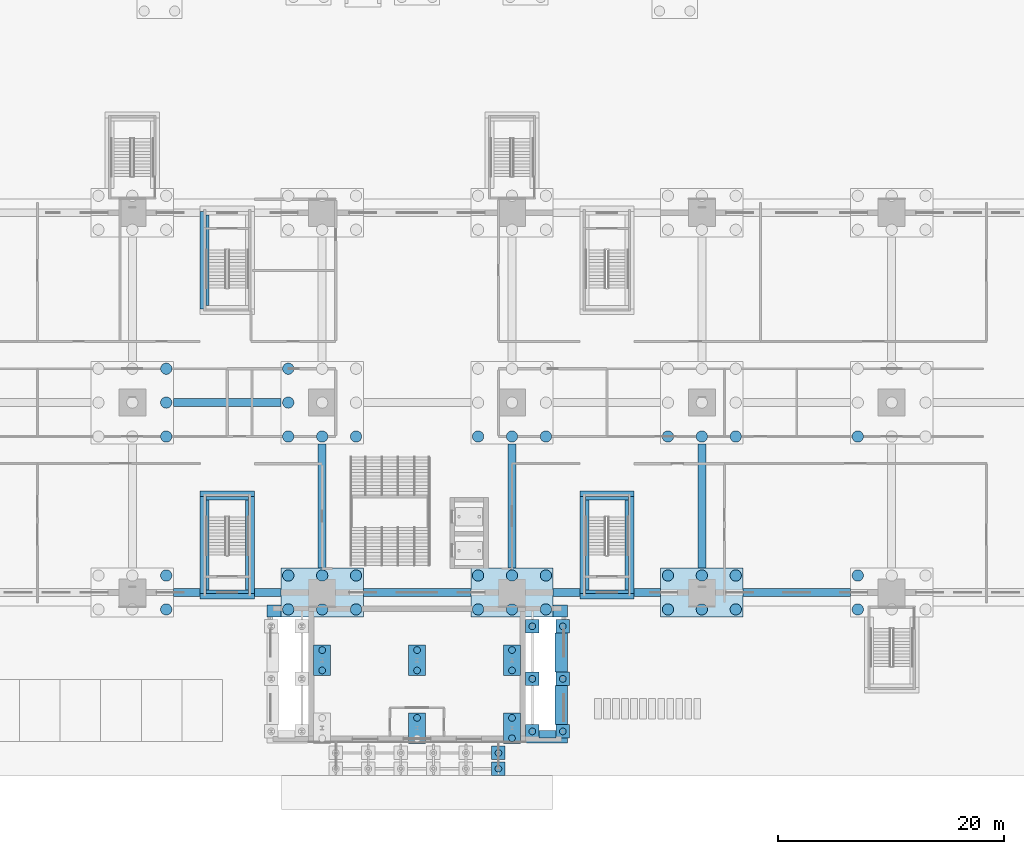
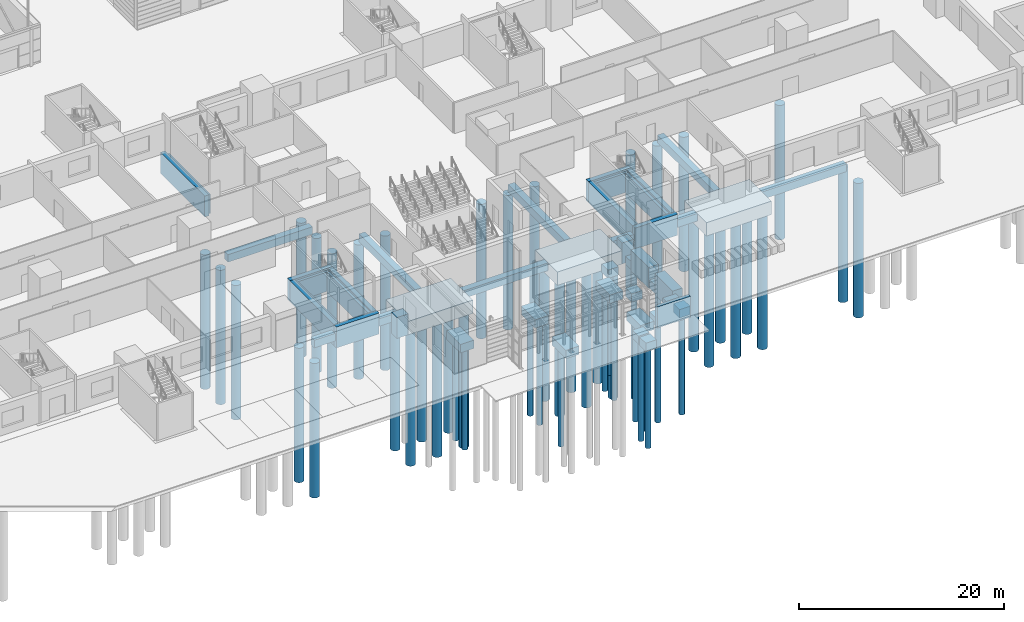
# One storey, part 3 of 139: 54 piles, 50 footings.
"""IFC4 building model written with IfcOpenShell, lengths in metres."""

from ifc_helpers import new_model, si_unit, direction, frame, origin, origin_2d, place, context, subcontext, project, spatial, polyline, rectangle, circle, outline, extrude, material, layer, layer_set, material_profile, profile_set, type_object, element, save


model = new_model("IFC4")

# Units and contexts
model_context = context("Model", 3, precision=1e-05, world=origin(), true_north=direction((0.0, 1.0)))
body_context = subcontext(model_context, "Body", "Model", "MODEL_VIEW")
ifc_project = project(units=[si_unit("LENGTHUNIT", "METRE"), si_unit("AREAUNIT", "SQUARE_METRE"), si_unit("VOLUMEUNIT", "CUBIC_METRE"), si_unit("PLANEANGLEUNIT", "RADIAN"), si_unit("MASSUNIT", "GRAM", prefix="KILO")], contexts=[model_context])

# Site, building, storey
site_placement = place(None, origin())
site = spatial("IfcSite", under=ifc_project, at=site_placement, CompositionType="ELEMENT")
building_placement = place(site_placement, origin())
building = spatial("IfcBuilding", under=site, at=building_placement, Name="Verrick Yard Athletic Hall", CompositionType="ELEMENT")
storey_placement = place(building_placement, origin())
storey = spatial("IfcBuildingStorey", under=building, at=storey_placement, Name="L00", CompositionType="ELEMENT", Elevation=0.0)

# Piles
ifc_material = material(Name="Concrete 35 MPa", Category="concrete")
pile_type_1 = type_object("IfcPileType", Name="STR Bored pile 1000", PredefinedType="BORED", material=ifc_material)
for number, where, z_axis, x_axis, name in (
    (1, (76.60009765625, 17.699951171875, -2.39990234375), (0.0, 0.0, -1.0), (1.0, 0.0, 0.0), "STR-PC-P3A-PL3"),
    (2, (76.60009765625, 20.699951171875, -2.39990234375), (0.0, 0.0, -1.0), (1.0, 0.0, 0.0), "STR-PC-P3A-PL6"),
    (3, (76.60009765625, 33.0, -2.39990234375), (0.0, 0.0, -1.0), (1.0, 0.0, 0.0), "STR-PC-P3B-PL3"),
    (4, (76.60009765625, 36.0, -2.39990234375), (0.0, 0.0, -1.0), (1.0, 0.0, 0.0), "STR-PC-P3B-PL6"),
    (5, (76.60009765625, 39.0, -2.39990234375), (0.0, 0.0, -1.0), (1.0, 0.0, 0.0), "STR-PC-P3B-PL9"),
    (6, (87.39990234375, 17.699951171875, -2.39990234375), (0.0, 0.0, -1.0), (1.0, 0.0, 0.0), "STR-PC-P4A-PL1"),
    (7, (90.39990234375, 17.699951171875, -2.39990234375), (0.0, 0.0, -1.0), (1.0, 0.0, 0.0), "STR-PC-P4A-PL2"),
    (8, (93.39990234375, 17.699951171875, -2.39990234375), (0.0, 0.0, -1.0), (1.0, 0.0, 0.0), "STR-PC-P4A-PL3"),
    (9, (87.39990234375, 20.699951171875, -2.39990234375), (0.0, 0.0, -1.0), (1.0, 0.0, 0.0), "STR-PC-P4A-PL4"),
    (10, (90.39990234375, 20.699951171875, -2.39990234375), (0.0, 0.0, -1.0), (1.0, 0.0, 0.0), "STR-PC-P4A-PL5"),
    (11, (93.39990234375, 20.699951171875, -2.39990234375), (0.0, 0.0, -1.0), (1.0, 0.0, 0.0), "STR-PC-P4A-PL6"),
    (12, (87.39990234375, 33.0, -2.39990234375), (0.0, 0.0, -1.0), (1.0, 0.0, 0.0), "STR-PC-P4B-PL1"),
    (13, (90.39990234375, 33.0, -2.39990234375), (0.0, 0.0, -1.0), (1.0, 0.0, 0.0), "STR-PC-P4B-PL2"),
    (14, (93.39990234375, 33.0, -2.39990234375), (0.0, 0.0, -1.0), (1.0, 0.0, 0.0), "STR-PC-P4B-PL3"),
    (15, (87.39990234375, 36.0, -2.39990234375), (0.0, 0.0, -1.0), (1.0, 0.0, 0.0), "STR-PC-P4B-PL4"),
    (16, (87.39990234375, 39.0, -2.39990234375), (0.0, 0.0, -1.0), (1.0, 0.0, 0.0), "STR-PC-P4B-PL7"),
    (17, (104.199951171875, 17.699951171875, -2.39990234375), (0.0, 0.0, -1.0), (1.0, 0.0, 0.0), "STR-PC-P5A-PL1"),
    (18, (107.199951171875, 17.699951171875, -2.39990234375), (0.0, 0.0, -1.0), (1.0, 0.0, 0.0), "STR-PC-P5A-PL2"),
    (19, (110.199951171875, 17.699951171875, -2.39990234375), (0.0, 0.0, -1.0), (1.0, 0.0, 0.0), "STR-PC-P5A-PL3"),
    (20, (104.199951171875, 20.699951171875, -2.39990234375), (0.0, 0.0, -1.0), (1.0, 0.0, 0.0), "STR-PC-P5A-PL4"),
    (21, (107.199951171875, 20.699951171875, -2.39990234375), (0.0, 0.0, -1.0), (1.0, 0.0, 0.0), "STR-PC-P5A-PL5"),
    (22, (110.199951171875, 20.699951171875, -2.39990234375), (0.0, 0.0, -1.0), (1.0, 0.0, 0.0), "STR-PC-P5A-PL6"),
    (23, (104.199951171875, 33.0, -2.39990234375), (0.0, 0.0, -1.0), (1.0, 0.0, 0.0), "STR-PC-P5B-PL1"),
    (24, (107.199951171875, 33.0, -2.39990234375), (0.0, 0.0, -1.0), (1.0, 0.0, 0.0), "STR-PC-P5B-PL2"),
    (25, (110.199951171875, 33.0, -2.39990234375), (0.0, 0.0, -1.0), (1.0, 0.0, 0.0), "STR-PC-P5B-PL3"),
    (26, (121.0, 17.699951171875, -2.39990234375), (0.0, 0.0, -1.0), (1.0, 0.0, 0.0), "STR-PC-P6A-PL1"),
    (27, (124.0, 17.699951171875, -2.39990234375), (0.0, 0.0, -1.0), (1.0, 0.0, 0.0), "STR-PC-P6A-PL2"),
    (28, (127.0, 17.699951171875, -2.39990234375), (0.0, 0.0, -1.0), (1.0, 0.0, 0.0), "STR-PC-P6A-PL3"),
    (29, (121.0, 20.699951171875, -2.39990234375), (0.0, 0.0, -1.0), (1.0, 0.0, 0.0), "STR-PC-P6A-PL4"),
    (30, (124.0, 20.699951171875, -2.39990234375), (0.0, 0.0, -1.0), (1.0, 0.0, 0.0), "STR-PC-P6A-PL5"),
    (31, (127.0, 20.699951171875, -2.39990234375), (0.0, 0.0, -1.0), (1.0, 0.0, 0.0), "STR-PC-P6A-PL6"),
    (32, (121.0, 33.0, -2.39990234375), (0.0, 0.0, -1.0), (1.0, 0.0, 0.0), "STR-PC-P6B-PL1"),
    (33, (124.0, 33.0, -2.39990234375), (0.0, 0.0, -1.0), (1.0, 0.0, 0.0), "STR-PC-P6B-PL2"),
    (34, (127.0, 33.0, -2.39990234375), (0.0, 0.0, -1.0), (1.0, 0.0, 0.0), "STR-PC-P6B-PL3"),
    (35, (137.800048828125, 17.699951171875, -2.39990234375), (0.0, 0.0, -1.0), (1.0, 0.0, 0.0), "STR-PC-P7A-PL1"),
    (36, (137.800048828125, 20.699951171875, -2.39990234375), (0.0, 0.0, -1.0), (1.0, 0.0, 0.0), "STR-PC-P7A-PL4"),
    (37, (137.800048828125, 33.0, -2.39990234375), (0.0, 0.0, -1.0), (1.0, 0.0, 0.0), "STR-PC-P7B-PL1"),
):
    element("IfcPile", number, at=place(storey_placement, frame(where, z_axis=z_axis, x_axis=x_axis)), inside=storey, type_object=pile_type_1, Name=name, PredefinedType="BORED", context=body_context, shape_type="SweptSolid", body=[
        extrude(circle(Radius=0.5, at=origin_2d()), origin(), (0.0, 0.0, 1.0), 16.0),
    ])
pile_type_2 = type_object("IfcPileType", Name="STR Bored pile 600", PredefinedType="BORED", material=ifc_material)
for number, where, z_axis, x_axis, name in (
    (38, (90.39990234375, 12.300048828125, -2.39990234375), (0.0, 0.0, -1.0), (1.0, 0.0, 0.0), "STR-PC-FC12-PL1"),
    (39, (90.39990234375, 14.10009765625, -2.39990234375), (0.0, 0.0, -1.0), (1.0, 0.0, 0.0), "STR-PC-FC12-PL2"),
    (40, (98.800048828125, 8.10009765625, -2.39990234375), (0.0, 0.0, -1.0), (1.0, 0.0, 0.0), "STR-PC-FC21-PL2"),
    (41, (98.800048828125, 12.300048828125, -2.39990234375), (0.0, 0.0, -1.0), (1.0, 0.0, 0.0), "STR-PC-FC22-PL1"),
    (42, (98.800048828125, 14.10009765625, -2.39990234375), (0.0, 0.0, -1.0), (1.0, 0.0, 0.0), "STR-PC-FC22-PL2"),
    (43, (107.199951171875, 6.300048828125, -2.39990234375), (0.0, 0.0, -1.0), (1.0, 0.0, 0.0), "STR-PC-FC31-PL1"),
    (44, (107.199951171875, 8.10009765625, -2.39990234375), (0.0, 0.0, -1.0), (1.0, 0.0, 0.0), "STR-PC-FC31-PL2"),
    (45, (107.199951171875, 12.300048828125, -2.39990234375), (0.0, 0.0, -1.0), (1.0, 0.0, 0.0), "STR-PC-FC32-PL1"),
    (46, (107.199951171875, 14.10009765625, -2.39990234375), (0.0, 0.0, -1.0), (1.0, 0.0, 0.0), "STR-PC-FC32-PL2"),
    (47, (106.0, 3.60009765625, -2.39990234375), (0.0, 0.0, -1.0), (1.0, 0.0, 0.0), "STR-PC-PC6-PL1"),
    (48, (109.0, 6.89990234375, -2.39990234375), (0.0, 0.0, -1.0), (1.0, 0.0, 0.0), "STR-PC-LCEI1-PL1"),
    (49, (109.0, 11.550048828125, -2.39990234375), (0.0, 0.0, -1.0), (1.0, 0.0, 0.0), "STR-PC-LCEI2-PL1"),
    (50, (109.0, 16.199951171875, -2.39990234375), (0.0, 0.0, -1.0), (1.0, 0.0, 0.0), "STR-PC-LCEI3-PL1"),
    (51, (111.699951171875, 6.89990234375, -2.39990234375), (0.0, 0.0, -1.0), (1.0, 0.0, 0.0), "STR-PC-LCEO1-PL1"),
    (52, (111.699951171875, 11.550048828125, -2.39990234375), (0.0, 0.0, -1.0), (1.0, 0.0, 0.0), "STR-PC-LCEO2-PL1"),
    (53, (111.699951171875, 16.199951171875, -2.39990234375), (0.0, 0.0, -1.0), (1.0, 0.0, 0.0), "STR-PC-LCEO3-PL1"),
    (54, (106.0, 5.0, -2.39990234375), (0.0, 0.0, -1.0), (1.0, 0.0, 0.0), "STR-PC-PR6-PL1"),
):
    element("IfcPile", number, at=place(storey_placement, frame(where, z_axis=z_axis, x_axis=x_axis)), inside=storey, type_object=pile_type_2, Name=name, PredefinedType="BORED", context=body_context, shape_type="SweptSolid", body=[
        extrude(circle(Radius=0.300048828125, at=origin_2d()), origin(), (0.0, 0.0, 1.0), 12.0),
    ])

# Footings
ifc_material_profile_1 = material_profile(ifc_material, rectangle(XDim=0.699951171875, YDim=0.89990234375, at=origin_2d()), Name="STR Grade beam F1")
ifc_profile_set_1 = profile_set([ifc_material_profile_1], Name="Concrete 35 MPa")
footing_type_1 = type_object("IfcFootingType", Name="STR Grade beam F1", PredefinedType="FOOTING_BEAM", material=ifc_profile_set_1)
for number, where, z_axis, x_axis, name in (
    (55, (77.25, 19.199951171875, -1.35009765625), (1.0, 0.0, 0.0), (0.0, 1.0, 0.0), "STR-GB-XP3A"),
    (56, (84.39990234375, 19.199951171875, -1.35009765625), (1.0, 0.0, 0.0), (0.0, 1.0, 0.0), "STR-GB-XP3A-2"),
):
    element("IfcFooting", number, at=place(storey_placement, frame(where, z_axis=z_axis, x_axis=x_axis)), inside=storey, type_object=footing_type_1, Name=name, PredefinedType="FOOTING_BEAM", context=body_context, shape_type="SweptSolid", body=[
        extrude(rectangle(XDim=0.699951171875, YDim=0.89990234375, at=origin_2d()), origin(), (0.0, 0.0, 1.0), 2.35009765625),
    ])
footing_1_placement = place(storey_placement, frame((94.050048828125, 19.199951171875, -1.35009765625), z_axis=(1.0, 0.0, 0.0), x_axis=(0.0, 1.0, 0.0)))
element("IfcFooting", 57, at=footing_1_placement, inside=storey, type_object=footing_type_1, Name="STR-GB-XP4A", PredefinedType="FOOTING_BEAM", context=body_context, shape_type="SweptSolid", body=[
    extrude(rectangle(XDim=0.699951171875, YDim=0.89990234375, at=origin_2d()), origin(), (0.0, 0.0, 1.0), 9.5),
])
footing_2_placement = place(storey_placement, frame((110.85009765625, 19.199951171875, -1.35009765625), z_axis=(1.0, 0.0, 0.0), x_axis=(0.0, 1.0, 0.0)))
element("IfcFooting", 58, at=footing_2_placement, inside=storey, type_object=footing_type_1, Name="STR-GB-XP5A", PredefinedType="FOOTING_BEAM", context=body_context, shape_type="SweptSolid", body=[
    extrude(rectangle(XDim=0.699951171875, YDim=0.89990234375, at=origin_2d()), origin(), (0.0, 0.0, 1.0), 2.349853515625),
])
footing_3_placement = place(storey_placement, frame((118.0, 19.199951171875, -1.35009765625), z_axis=(1.0, 0.0, 0.0), x_axis=(0.0, 1.0, 0.0)))
element("IfcFooting", 59, at=footing_3_placement, inside=storey, type_object=footing_type_1, Name="STR-GB-XP5A-2", PredefinedType="FOOTING_BEAM", context=body_context, shape_type="SweptSolid", body=[
    extrude(rectangle(XDim=0.699951171875, YDim=0.89990234375, at=origin_2d()), origin(), (0.0, 0.0, 1.0), 2.35009765625),
])
for number, where, z_axis, x_axis, name in (
    (60, (127.64990234375, 19.199951171875, -1.35009765625), (1.0, 0.0, 0.0), (0.0, 1.0, 0.0), "STR-GB-XP6A"),
    (61, (77.25, 36.0, -1.35009765625), (1.0, 0.0, 0.0), (0.0, 1.0, 0.0), "STR-GB-XP3B"),
):
    element("IfcFooting", number, at=place(storey_placement, frame(where, z_axis=z_axis, x_axis=x_axis)), inside=storey, type_object=footing_type_1, Name=name, PredefinedType="FOOTING_BEAM", context=body_context, shape_type="SweptSolid", body=[
        extrude(rectangle(XDim=0.699951171875, YDim=0.89990234375, at=origin_2d()), origin(), (0.0, 0.0, 1.0), 9.5),
    ])
for number, where, z_axis, x_axis, name in (
    (62, (90.39990234375, 21.35009765625, -1.35009765625), (0.0, 1.0, 0.0), (-1.0, 0.0, 0.0), "STR-GB-YP4A"),
    (63, (107.199951171875, 21.35009765625, -1.35009765625), (0.0, 1.0, 0.0), (-1.0, 0.0, 0.0), "STR-GB-YP5A"),
    (64, (124.0, 21.35009765625, -1.35009765625), (0.0, 1.0, 0.0), (-1.0, 0.0, 0.0), "STR-GB-YP6A"),
):
    element("IfcFooting", number, at=place(storey_placement, frame(where, z_axis=z_axis, x_axis=x_axis)), inside=storey, type_object=footing_type_1, Name=name, PredefinedType="FOOTING_BEAM", context=body_context, shape_type="SweptSolid", body=[
        extrude(rectangle(XDim=0.699951171875, YDim=0.89990234375, at=origin_2d()), origin(), (0.0, 0.0, 1.0), 11.0),
    ])
ifc_layer_1 = layer(ifc_material, 1.60009765625)
ifc_layer_set_1 = layer_set([ifc_layer_1], Name="STR Pile cap edge PC2")
footing_type_2 = type_object("IfcFootingType", Name="STR Pile cap edge PC2", PredefinedType="PILE_CAP", material=ifc_layer_set_1)
footing_4_placement = place(storey_placement, frame((0.0, 0.0, -2.5)))
element("IfcFooting", 65, at=footing_4_placement, inside=storey, type_object=footing_type_2, Name="STR-PC-P4A", PredefinedType="PILE_CAP", context=body_context, shape_type="SweptSolid", body=[
    extrude(outline(polyline([(86.75, 17.050048828125), (94.050048828125, 17.050048828125), (94.050048828125, 21.35009765625), (86.75, 21.35009765625), (86.75, 17.050048828125)])), origin(), (0.0, 0.0, 1.0), 1.60009765625),
])
footing_5_placement = place(storey_placement, frame((0.0, 0.0, -2.5)))
element("IfcFooting", 66, at=footing_5_placement, inside=storey, type_object=footing_type_2, Name="STR-PC-P5A", PredefinedType="PILE_CAP", context=body_context, shape_type="SweptSolid", body=[
    extrude(outline(polyline([(103.550048828125, 17.050048828125), (110.85009765625, 17.050048828125), (110.85009765625, 21.35009765625), (103.550048828125, 21.35009765625), (103.550048828125, 17.050048828125)])), origin(), (0.0, 0.0, 1.0), 1.60009765625),
])
footing_6_placement = place(storey_placement, frame((0.0, 0.0, -2.5)))
element("IfcFooting", 67, at=footing_6_placement, inside=storey, type_object=footing_type_2, Name="STR-PC-P6A", PredefinedType="PILE_CAP", context=body_context, shape_type="SweptSolid", body=[
    extrude(outline(polyline([(120.35009765625, 17.050048828125), (127.64990234375, 17.050048828125), (127.64990234375, 21.35009765625), (120.35009765625, 21.35009765625), (120.35009765625, 17.050048828125)])), origin(), (0.0, 0.0, 1.0), 1.60009765625),
])
ifc_layer_2 = layer(ifc_material, 1.0)
ifc_layer_set_2 = layer_set([ifc_layer_2], Name="STR Pile cap foyer PC6")
footing_type_3 = type_object("IfcFootingType", Name="STR Pile cap foyer PC6", PredefinedType="PILE_CAP", material=ifc_layer_set_2)
footing_7_placement = place(storey_placement, frame((0.0, 0.0, -2.5)))
element("IfcFooting", 68, at=footing_7_placement, inside=storey, type_object=footing_type_3, Name="STR-PC-FC12", PredefinedType="PILE_CAP", context=body_context, shape_type="SweptSolid", body=[
    extrude(outline(polyline([(89.64990234375, 11.85009765625), (91.14990234375, 11.85009765625), (91.14990234375, 14.550048828125), (89.64990234375, 14.550048828125), (89.64990234375, 11.85009765625)])), origin(), (0.0, 0.0, 1.0), 1.0),
])
footing_8_placement = place(storey_placement, frame((0.0, 0.0, -2.5)))
element("IfcFooting", 69, at=footing_8_placement, inside=storey, type_object=footing_type_3, Name="STR-PC-FC21", PredefinedType="PILE_CAP", context=body_context, shape_type="SweptSolid", body=[
    extrude(outline(polyline([(98.050048828125, 5.85009765625), (99.550048828125, 5.85009765625), (99.550048828125, 8.550048828125), (98.050048828125, 8.550048828125), (98.050048828125, 5.85009765625)])), origin(), (0.0, 0.0, 1.0), 1.0),
])
footing_9_placement = place(storey_placement, frame((0.0, 0.0, -2.5)))
element("IfcFooting", 70, at=footing_9_placement, inside=storey, type_object=footing_type_3, Name="STR-PC-FC22", PredefinedType="PILE_CAP", context=body_context, shape_type="SweptSolid", body=[
    extrude(outline(polyline([(98.050048828125, 11.85009765625), (99.550048828125, 11.85009765625), (99.550048828125, 14.550048828125), (98.050048828125, 14.550048828125), (98.050048828125, 11.85009765625)])), origin(), (0.0, 0.0, 1.0), 1.0),
])
footing_10_placement = place(storey_placement, frame((0.0, 0.0, -2.5)))
element("IfcFooting", 71, at=footing_10_placement, inside=storey, type_object=footing_type_3, Name="STR-PC-FC31", PredefinedType="PILE_CAP", context=body_context, shape_type="SweptSolid", body=[
    extrude(outline(polyline([(106.449951171875, 5.85009765625), (107.949951171875, 5.85009765625), (107.949951171875, 8.550048828125), (106.449951171875, 8.550048828125), (106.449951171875, 5.85009765625)])), origin(), (0.0, 0.0, 1.0), 1.0),
])
footing_11_placement = place(storey_placement, frame((0.0, 0.0, -2.5)))
element("IfcFooting", 72, at=footing_11_placement, inside=storey, type_object=footing_type_3, Name="STR-PC-FC32", PredefinedType="PILE_CAP", context=body_context, shape_type="SweptSolid", body=[
    extrude(outline(polyline([(106.449951171875, 11.85009765625), (107.949951171875, 11.85009765625), (107.949951171875, 14.550048828125), (106.449951171875, 14.550048828125), (106.449951171875, 11.85009765625)])), origin(), (0.0, 0.0, 1.0), 1.0),
])
ifc_layer_3 = layer(ifc_material, 1.0)
ifc_layer_set_3 = layer_set([ifc_layer_3], Name="STR Pile cap porch PC7")
footing_type_4 = type_object("IfcFootingType", Name="STR Pile cap porch PC7", PredefinedType="PILE_CAP", material=ifc_layer_set_3)
footing_12_placement = place(storey_placement, frame((0.0, 0.0, -2.5)))
element("IfcFooting", 73, at=footing_12_placement, inside=storey, type_object=footing_type_4, Name="STR-PC-PC6", PredefinedType="PILE_CAP", context=body_context, shape_type="SweptSolid", body=[
    extrude(outline(polyline([(105.39990234375, 3.0), (106.60009765625, 3.0), (106.60009765625, 4.199951171875), (105.39990234375, 4.199951171875), (105.39990234375, 3.0)])), origin(), (0.0, 0.0, 1.0), 1.0),
])
footing_13_placement = place(storey_placement, frame((0.0, 0.0, -2.5)))
element("IfcFooting", 74, at=footing_13_placement, inside=storey, type_object=footing_type_4, Name="STR-PC-LCEI1", PredefinedType="PILE_CAP", context=body_context, shape_type="SweptSolid", body=[
    extrude(outline(polyline([(108.39990234375, 6.300048828125), (109.60009765625, 6.300048828125), (109.60009765625, 7.5), (108.39990234375, 7.5), (108.39990234375, 6.300048828125)])), origin(), (0.0, 0.0, 1.0), 1.0),
])
footing_14_placement = place(storey_placement, frame((0.0, 0.0, -2.5)))
element("IfcFooting", 75, at=footing_14_placement, inside=storey, type_object=footing_type_4, Name="STR-PC-LCEI2", PredefinedType="PILE_CAP", context=body_context, shape_type="SweptSolid", body=[
    extrude(outline(polyline([(108.39990234375, 10.949951171875), (109.60009765625, 10.949951171875), (109.60009765625, 12.14990234375), (108.39990234375, 12.14990234375), (108.39990234375, 10.949951171875)])), origin(), (0.0, 0.0, 1.0), 1.0),
])
footing_15_placement = place(storey_placement, frame((0.0, 0.0, -2.5)))
element("IfcFooting", 76, at=footing_15_placement, inside=storey, type_object=footing_type_4, Name="STR-PC-LCEI3", PredefinedType="PILE_CAP", context=body_context, shape_type="SweptSolid", body=[
    extrude(outline(polyline([(108.39990234375, 15.60009765625), (109.60009765625, 15.60009765625), (109.60009765625, 16.800048828125), (108.39990234375, 16.800048828125), (108.39990234375, 15.60009765625)])), origin(), (0.0, 0.0, 1.0), 1.0),
])
footing_16_placement = place(storey_placement, frame((0.0, 0.0, -2.5)))
element("IfcFooting", 77, at=footing_16_placement, inside=storey, type_object=footing_type_4, Name="STR-PC-LCEO1", PredefinedType="PILE_CAP", context=body_context, shape_type="SweptSolid", body=[
    extrude(outline(polyline([(111.10009765625, 6.300048828125), (112.300048828125, 6.300048828125), (112.300048828125, 7.5), (111.10009765625, 7.5), (111.10009765625, 6.300048828125)])), origin(), (0.0, 0.0, 1.0), 1.0),
])
footing_17_placement = place(storey_placement, frame((0.0, 0.0, -2.5)))
element("IfcFooting", 78, at=footing_17_placement, inside=storey, type_object=footing_type_4, Name="STR-PC-LCEO2", PredefinedType="PILE_CAP", context=body_context, shape_type="SweptSolid", body=[
    extrude(outline(polyline([(111.10009765625, 10.949951171875), (112.300048828125, 10.949951171875), (112.300048828125, 12.14990234375), (111.10009765625, 12.14990234375), (111.10009765625, 10.949951171875)])), origin(), (0.0, 0.0, 1.0), 1.0),
])
footing_18_placement = place(storey_placement, frame((0.0, 0.0, -2.5)))
element("IfcFooting", 79, at=footing_18_placement, inside=storey, type_object=footing_type_4, Name="STR-PC-LCEO3", PredefinedType="PILE_CAP", context=body_context, shape_type="SweptSolid", body=[
    extrude(outline(polyline([(111.10009765625, 15.60009765625), (112.300048828125, 15.60009765625), (112.300048828125, 16.800048828125), (111.10009765625, 16.800048828125), (111.10009765625, 15.60009765625)])), origin(), (0.0, 0.0, 1.0), 1.0),
])
footing_19_placement = place(storey_placement, frame((0.0, 0.0, -2.5)))
element("IfcFooting", 80, at=footing_19_placement, inside=storey, type_object=footing_type_4, Name="STR-PC-PR6", PredefinedType="PILE_CAP", context=body_context, shape_type="SweptSolid", body=[
    extrude(outline(polyline([(105.39990234375, 4.39990234375), (106.60009765625, 4.39990234375), (106.60009765625, 5.60009765625), (105.39990234375, 5.60009765625), (105.39990234375, 4.39990234375)])), origin(), (0.0, 0.0, 1.0), 1.0),
])
ifc_material_profile_2 = material_profile(ifc_material, rectangle(XDim=0.5, YDim=2.5, at=origin_2d()), Name="STR Wall strip footing F2")
ifc_profile_set_2 = profile_set([ifc_material_profile_2], Name="Concrete 35 MPa")
footing_type_5 = type_object("IfcFootingType", Name="STR Wall strip footing F2", PredefinedType="STRIP_FOOTING", material=ifc_profile_set_2)
footing_20_placement = place(storey_placement, frame((0.0, 0.0, -2.5)))
element("IfcFooting", 81, at=footing_20_placement, inside=storey, type_object=footing_type_5, Name="STR-WF-PS-N2-2", PredefinedType="STRIP_FOOTING", context=body_context, shape_type="SweptSolid", body=[
    extrude(outline(polyline([(79.60009765625, 44.300048828125), (80.10009765625, 44.300048828125), (80.10009765625, 52.89990234375), (79.60009765625, 52.89990234375), (79.60009765625, 44.300048828125)])), origin(), (0.0, 0.0, 1.0), 2.5),
])
footing_21_placement = place(storey_placement, frame((0.0, 0.0, -2.5)))
element("IfcFooting", 82, at=footing_21_placement, inside=storey, type_object=footing_type_5, Name="STR-WF-PS-S2-1", PredefinedType="STRIP_FOOTING", context=body_context, shape_type="SweptSolid", body=[
    extrude(outline(polyline([(79.60009765625, 18.60009765625), (84.39990234375, 18.60009765625), (84.39990234375, 19.10009765625), (79.60009765625, 19.10009765625), (79.60009765625, 18.60009765625)])), origin(), (0.0, 0.0, 1.0), 2.5),
])
footing_22_placement = place(storey_placement, frame((0.0, 0.0, -2.5)))
element("IfcFooting", 83, at=footing_22_placement, inside=storey, type_object=footing_type_5, Name="STR-WF-PS-S2-2", PredefinedType="STRIP_FOOTING", context=body_context, shape_type="SweptSolid", body=[
    extrude(outline(polyline([(79.60009765625, 19.10009765625), (80.10009765625, 19.10009765625), (80.10009765625, 27.699951171875), (79.60009765625, 27.699951171875), (79.60009765625, 19.10009765625)])), origin(), (0.0, 0.0, 1.0), 2.5),
])
footing_23_placement = place(storey_placement, frame((0.0, 0.0, -2.5)))
element("IfcFooting", 84, at=footing_23_placement, inside=storey, type_object=footing_type_5, Name="STR-WF-PS-S2-3", PredefinedType="STRIP_FOOTING", context=body_context, shape_type="SweptSolid", body=[
    extrude(outline(polyline([(83.89990234375, 19.10009765625), (84.39990234375, 19.10009765625), (84.39990234375, 27.699951171875), (83.89990234375, 27.699951171875), (83.89990234375, 19.10009765625)])), origin(), (0.0, 0.0, 1.0), 2.5),
])
footing_24_placement = place(storey_placement, frame((0.0, 0.0, -2.5)))
element("IfcFooting", 85, at=footing_24_placement, inside=storey, type_object=footing_type_5, Name="STR-WF-PS-S2-4", PredefinedType="STRIP_FOOTING", context=body_context, shape_type="SweptSolid", body=[
    extrude(outline(polyline([(79.60009765625, 27.699951171875), (84.39990234375, 27.699951171875), (84.39990234375, 28.199951171875), (79.60009765625, 28.199951171875), (79.60009765625, 27.699951171875)])), origin(), (0.0, 0.0, 1.0), 2.5),
])
footing_25_placement = place(storey_placement, frame((0.0, 0.0, -2.5)))
element("IfcFooting", 86, at=footing_25_placement, inside=storey, type_object=footing_type_5, Name="STR-WF-PS-S3-1", PredefinedType="STRIP_FOOTING", context=body_context, shape_type="SweptSolid", body=[
    extrude(outline(polyline([(113.199951171875, 18.60009765625), (118.0, 18.60009765625), (118.0, 19.10009765625), (113.199951171875, 19.10009765625), (113.199951171875, 18.60009765625)])), origin(), (0.0, 0.0, 1.0), 2.5),
])
footing_26_placement = place(storey_placement, frame((0.0, 0.0, -2.5)))
element("IfcFooting", 87, at=footing_26_placement, inside=storey, type_object=footing_type_5, Name="STR-WF-PS-S3-2", PredefinedType="STRIP_FOOTING", context=body_context, shape_type="SweptSolid", body=[
    extrude(outline(polyline([(113.199951171875, 19.10009765625), (113.699951171875, 19.10009765625), (113.699951171875, 27.699951171875), (113.199951171875, 27.699951171875), (113.199951171875, 19.10009765625)])), origin(), (0.0, 0.0, 1.0), 2.5),
])
footing_27_placement = place(storey_placement, frame((0.0, 0.0, -2.5)))
element("IfcFooting", 88, at=footing_27_placement, inside=storey, type_object=footing_type_5, Name="STR-WF-PS-S3-3", PredefinedType="STRIP_FOOTING", context=body_context, shape_type="SweptSolid", body=[
    extrude(outline(polyline([(117.5, 19.10009765625), (118.0, 19.10009765625), (118.0, 27.699951171875), (117.5, 27.699951171875), (117.5, 19.10009765625)])), origin(), (0.0, 0.0, 1.0), 2.5),
])
footing_28_placement = place(storey_placement, frame((0.0, 0.0, -2.5)))
element("IfcFooting", 89, at=footing_28_placement, inside=storey, type_object=footing_type_5, Name="STR-WF-PS-S3-4", PredefinedType="STRIP_FOOTING", context=body_context, shape_type="SweptSolid", body=[
    extrude(outline(polyline([(113.199951171875, 27.699951171875), (118.0, 27.699951171875), (118.0, 28.199951171875), (113.199951171875, 28.199951171875), (113.199951171875, 27.699951171875)])), origin(), (0.0, 0.0, 1.0), 2.5),
])
ifc_material_profile_3 = material_profile(ifc_material, rectangle(XDim=0.300048828125, YDim=2.300048828125, at=origin_2d()), Name="STR Wall strip footing F3")
ifc_profile_set_3 = profile_set([ifc_material_profile_3], Name="Concrete 35 MPa")
footing_type_6 = type_object("IfcFootingType", Name="STR Wall strip footing F3", PredefinedType="STRIP_FOOTING", material=ifc_profile_set_3)
footing_29_placement = place(storey_placement, frame((0.0, 0.0, -2.5)))
element("IfcFooting", 90, at=footing_29_placement, inside=storey, type_object=footing_type_6, Name="STR-WF-PS-N2-IN-2", PredefinedType="STRIP_FOOTING", context=body_context, shape_type="SweptSolid", body=[
    extrude(outline(polyline([(80.10009765625, 44.60009765625), (80.39990234375, 44.60009765625), (80.39990234375, 52.60009765625), (80.10009765625, 52.60009765625), (80.10009765625, 44.60009765625)])), origin(), (0.0, 0.0, 1.0), 2.300048828125),
])
footing_30_placement = place(storey_placement, frame((0.0, 0.0, -2.5)))
element("IfcFooting", 91, at=footing_30_placement, inside=storey, type_object=footing_type_6, Name="STR-WF-PS-S2-IN-1", PredefinedType="STRIP_FOOTING", context=body_context, shape_type="SweptSolid", body=[
    extrude(outline(polyline([(80.10009765625, 19.10009765625), (83.89990234375, 19.10009765625), (83.89990234375, 19.39990234375), (80.10009765625, 19.39990234375), (80.10009765625, 19.10009765625)])), origin(), (0.0, 0.0, 1.0), 2.300048828125),
])
footing_31_placement = place(storey_placement, frame((0.0, 0.0, -2.5)))
element("IfcFooting", 92, at=footing_31_placement, inside=storey, type_object=footing_type_6, Name="STR-WF-PS-S2-IN-2", PredefinedType="STRIP_FOOTING", context=body_context, shape_type="SweptSolid", body=[
    extrude(outline(polyline([(80.10009765625, 19.39990234375), (80.39990234375, 19.39990234375), (80.39990234375, 27.39990234375), (80.10009765625, 27.39990234375), (80.10009765625, 19.39990234375)])), origin(), (0.0, 0.0, 1.0), 2.300048828125),
])
footing_32_placement = place(storey_placement, frame((0.0, 0.0, -2.5)))
element("IfcFooting", 93, at=footing_32_placement, inside=storey, type_object=footing_type_6, Name="STR-WF-PS-S2-IN-3", PredefinedType="STRIP_FOOTING", context=body_context, shape_type="SweptSolid", body=[
    extrude(outline(polyline([(83.60009765625, 19.39990234375), (83.89990234375, 19.39990234375), (83.89990234375, 27.39990234375), (83.60009765625, 27.39990234375), (83.60009765625, 19.39990234375)])), origin(), (0.0, 0.0, 1.0), 2.300048828125),
])
footing_33_placement = place(storey_placement, frame((0.0, 0.0, -2.5)))
element("IfcFooting", 94, at=footing_33_placement, inside=storey, type_object=footing_type_6, Name="STR-WF-PS-S2-IN-4", PredefinedType="STRIP_FOOTING", context=body_context, shape_type="SweptSolid", body=[
    extrude(outline(polyline([(80.10009765625, 27.39990234375), (83.89990234375, 27.39990234375), (83.89990234375, 27.699951171875), (80.10009765625, 27.699951171875), (80.10009765625, 27.39990234375)])), origin(), (0.0, 0.0, 1.0), 2.300048828125),
])
footing_34_placement = place(storey_placement, frame((0.0, 0.0, -2.5)))
element("IfcFooting", 95, at=footing_34_placement, inside=storey, type_object=footing_type_6, Name="STR-WF-PS-S3-IN-1", PredefinedType="STRIP_FOOTING", context=body_context, shape_type="SweptSolid", body=[
    extrude(outline(polyline([(113.699951171875, 19.10009765625), (117.5, 19.10009765625), (117.5, 19.39990234375), (113.699951171875, 19.39990234375), (113.699951171875, 19.10009765625)])), origin(), (0.0, 0.0, 1.0), 2.300048828125),
])
footing_35_placement = place(storey_placement, frame((0.0, 0.0, -2.5)))
element("IfcFooting", 96, at=footing_35_placement, inside=storey, type_object=footing_type_6, Name="STR-WF-PS-S3-IN-2", PredefinedType="STRIP_FOOTING", context=body_context, shape_type="SweptSolid", body=[
    extrude(outline(polyline([(113.699951171875, 19.39990234375), (114.0, 19.39990234375), (114.0, 27.39990234375), (113.699951171875, 27.39990234375), (113.699951171875, 19.39990234375)])), origin(), (0.0, 0.0, 1.0), 2.300048828125),
])
footing_36_placement = place(storey_placement, frame((0.0, 0.0, -2.5)))
element("IfcFooting", 97, at=footing_36_placement, inside=storey, type_object=footing_type_6, Name="STR-WF-PS-S3-IN-3", PredefinedType="STRIP_FOOTING", context=body_context, shape_type="SweptSolid", body=[
    extrude(outline(polyline([(117.199951171875, 19.39990234375), (117.5, 19.39990234375), (117.5, 27.39990234375), (117.199951171875, 27.39990234375), (117.199951171875, 19.39990234375)])), origin(), (0.0, 0.0, 1.0), 2.300048828125),
])
footing_37_placement = place(storey_placement, frame((0.0, 0.0, -2.5)))
element("IfcFooting", 98, at=footing_37_placement, inside=storey, type_object=footing_type_6, Name="STR-WF-PS-S3-IN-4", PredefinedType="STRIP_FOOTING", context=body_context, shape_type="SweptSolid", body=[
    extrude(outline(polyline([(113.699951171875, 27.39990234375), (117.5, 27.39990234375), (117.5, 27.699951171875), (113.699951171875, 27.699951171875), (113.699951171875, 27.39990234375)])), origin(), (0.0, 0.0, 1.0), 2.300048828125),
])
ifc_material_profile_4 = material_profile(ifc_material, rectangle(XDim=0.39990234375, YDim=2.5, at=origin_2d()), Name="STR Wall strip footing F5")
ifc_profile_set_4 = profile_set([ifc_material_profile_4], Name="Concrete 35 MPa")
footing_type_7 = type_object("IfcFootingType", Name="STR Wall strip footing F5", PredefinedType="STRIP_FOOTING", material=ifc_profile_set_4)
footing_38_placement = place(storey_placement, frame((0.0, 0.0, -2.5)))
element("IfcFooting", 99, at=footing_38_placement, inside=storey, type_object=footing_type_7, Name="STR-WF-LTE-1", PredefinedType="STRIP_FOOTING", context=body_context, shape_type="SweptSolid", body=[
    extrude(outline(polyline([(108.39990234375, 5.89990234375), (112.10009765625, 5.89990234375), (112.10009765625, 6.300048828125), (108.39990234375, 6.300048828125), (108.39990234375, 5.89990234375)])), origin(), (0.0, 0.0, 1.0), 2.5),
])
ifc_material_profile_5 = material_profile(ifc_material, rectangle(XDim=0.699951171875, YDim=2.5, at=origin_2d()), Name="STR Wall strip footing F6")
ifc_profile_set_5 = profile_set([ifc_material_profile_5], Name="Concrete 35 MPa")
footing_type_8 = type_object("IfcFootingType", Name="STR Wall strip footing F6", PredefinedType="STRIP_FOOTING", material=ifc_profile_set_5)
footing_39_placement = place(storey_placement, frame((0.0, 0.0, -2.5)))
element("IfcFooting", 100, at=footing_39_placement, inside=storey, type_object=footing_type_8, Name="STR-WF-LTE-2", PredefinedType="STRIP_FOOTING", context=body_context, shape_type="SweptSolid", body=[
    extrude(outline(polyline([(109.60009765625, 6.300048828125), (111.10009765625, 6.300048828125), (111.10009765625, 7.0), (109.60009765625, 7.0), (109.60009765625, 6.300048828125)])), origin(), (0.0, 0.0, 1.0), 2.5),
])
ifc_material_profile_6 = material_profile(ifc_material, rectangle(XDim=1.050048828125, YDim=2.5, at=origin_2d()), Name="STR Wall strip footing F7")
ifc_profile_set_6 = profile_set([ifc_material_profile_6], Name="Concrete 35 MPa")
footing_type_9 = type_object("IfcFootingType", Name="STR Wall strip footing F7", PredefinedType="STRIP_FOOTING", material=ifc_profile_set_6)
footing_40_placement = place(storey_placement, frame((0.0, 0.0, -2.5)))
element("IfcFooting", 101, at=footing_40_placement, inside=storey, type_object=footing_type_9, Name="STR-WF-LTE-10", PredefinedType="STRIP_FOOTING", context=body_context, shape_type="SweptSolid", body=[
    extrude(outline(polyline([(110.85009765625, 17.050048828125), (112.10009765625, 17.050048828125), (112.10009765625, 18.10009765625), (110.85009765625, 18.10009765625), (110.85009765625, 17.050048828125)])), origin(), (0.0, 0.0, 1.0), 2.5),
])
footing_41_placement = place(storey_placement, frame((0.0, 0.0, -2.5)))
element("IfcFooting", 102, at=footing_41_placement, inside=storey, type_object=footing_type_9, Name="STR-WF-LTW-10", PredefinedType="STRIP_FOOTING", context=body_context, shape_type="SweptSolid", body=[
    extrude(outline(polyline([(85.5, 17.050048828125), (86.75, 17.050048828125), (86.75, 18.10009765625), (85.5, 18.10009765625), (85.5, 17.050048828125)])), origin(), (0.0, 0.0, 1.0), 2.5),
])
ifc_material_profile_7 = material_profile(ifc_material, rectangle(XDim=1.10009765625, YDim=2.5, at=origin_2d()), Name="STR Wall strip footing F8")
ifc_profile_set_7 = profile_set([ifc_material_profile_7], Name="Concrete 35 MPa")
footing_type_10 = type_object("IfcFootingType", Name="STR Wall strip footing F8", PredefinedType="STRIP_FOOTING", material=ifc_profile_set_7)
footing_42_placement = place(storey_placement, frame((0.0, 0.0, -2.5)))
element("IfcFooting", 103, at=footing_42_placement, inside=storey, type_object=footing_type_10, Name="STR-WF-LTE-4", PredefinedType="STRIP_FOOTING", context=body_context, shape_type="SweptSolid", body=[
    extrude(outline(polyline([(111.0, 7.5), (112.10009765625, 7.5), (112.10009765625, 10.949951171875), (111.0, 10.949951171875), (111.0, 7.5)])), origin(), (0.0, 0.0, 1.0), 2.5),
])
footing_43_placement = place(storey_placement, frame((0.0, 0.0, -2.5)))
element("IfcFooting", 104, at=footing_43_placement, inside=storey, type_object=footing_type_10, Name="STR-WF-LTE-6", PredefinedType="STRIP_FOOTING", context=body_context, shape_type="SweptSolid", body=[
    extrude(outline(polyline([(111.0, 12.14990234375), (112.10009765625, 12.14990234375), (112.10009765625, 15.60009765625), (111.0, 15.60009765625), (111.0, 12.14990234375)])), origin(), (0.0, 0.0, 1.0), 2.5),
])

save(model, "model.ifc")
